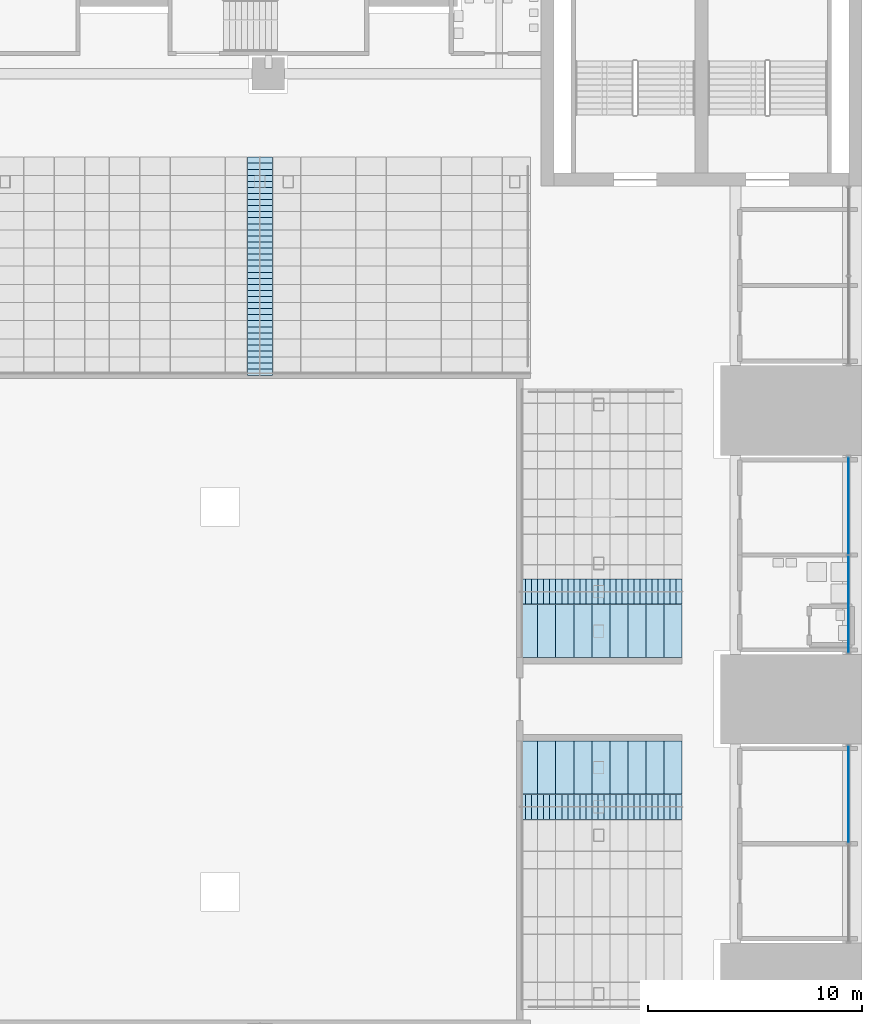
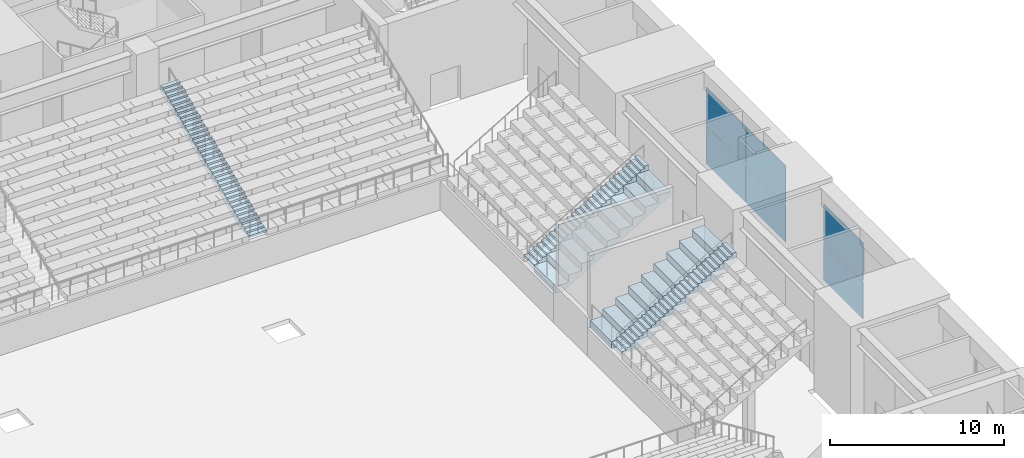
# One storey, part 31 of 62: 6 plates, 5 slabs, 2 elements without a shape of their own.
"""IFC4 building model written with IfcOpenShell, lengths in metres."""

import ifcopenshell
import ifcopenshell.guid

model = None  # the IFC model being written
_history = None  # IfcOwnerHistory: only IFC2X3 demands one
_inside = {}  # id of a spatial element -> (the spatial element, [elements in it])
_under = {}  # id of a project, library or spatial element -> (it, [spatial elements below it])
_declared = {}  # id of a project -> (the project, [libraries it declares])
_typed = {}  # id of a type object -> (the type object, [elements of that type])
_made_of = {}  # id of a material, layer set ... -> (it, [elements and type objects made of it])


def new_model(schema):
    """Start an empty IFC model of exactly this schema.

    Asked for "IFC4X3", IfcOpenShell would pick the latest addendum, in which some entities
    have other attributes; the version numbers below select the first issue.
    IFC2X3 requires an IfcOwnerHistory on every rooted entity: one is made here for all.
    """
    global model, _history
    if schema == "IFC4X3":
        model = ifcopenshell.file(schema_version=(4, 3, 0, 0))
    else:
        model = ifcopenshell.file(schema=schema)
    _inside.clear()
    _under.clear()
    _declared.clear()
    _typed.clear()
    _made_of.clear()
    _history = None
    if model.schema == "IFC2X3":
        org = make("IfcOrganization", Name="unknown")
        user = make(
            "IfcPersonAndOrganization",
            ThePerson=make("IfcPerson", FamilyName="unknown"),
            TheOrganization=org,
        )
        app = make(
            "IfcApplication",
            ApplicationDeveloper=org,
            Version="unknown",
            ApplicationFullName="unknown",
            ApplicationIdentifier="unknown",
        )
        _history = make(
            "IfcOwnerHistory",
            OwningUser=user,
            OwningApplication=app,
            ChangeAction="ADDED",
            CreationDate=0,
        )
    return model


def make(cls, **values):
    """One entity of the class cls with the attributes given. An attribute that is None is left unset."""
    return model.create_entity(
        cls, **{name: value for name, value in values.items() if value is not None}
    )


def rooted(cls, **values):
    """An entity with a GlobalId (a new one), such as an element, a storey or a relation."""
    return make(cls, GlobalId=ifcopenshell.guid.new(), OwnerHistory=_history, **values)


def si_unit(unit_type, name, prefix=None):
    """IfcSIUnit, for example si_unit("LENGTHUNIT", "METRE", prefix="MILLI")."""
    return make("IfcSIUnit", UnitType=unit_type, Prefix=prefix, Name=name)


def assignment(units):
    """IfcUnitAssignment: the units of a project."""
    return None if units is None else make("IfcUnitAssignment", Units=units)


def point(xyz):
    """IfcCartesianPoint."""
    return None if xyz is None else make("IfcCartesianPoint", Coordinates=xyz)


def direction(xyz):
    """IfcDirection."""
    return None if xyz is None else make("IfcDirection", DirectionRatios=xyz)


def frame(location, z_axis=None, x_axis=None):
    """IfcAxis2Placement3D, a coordinate frame: its origin and axes. An axis left out is left unset."""
    return make(
        "IfcAxis2Placement3D",
        Location=point(location),
        Axis=direction(z_axis),
        RefDirection=direction(x_axis),
    )


def frame_2d(location, x_axis=None):
    """IfcAxis2Placement2D, a coordinate frame in the plane: its origin and x axis."""
    return make(
        "IfcAxis2Placement2D", Location=point(location), RefDirection=direction(x_axis)
    )


def origin():
    """The frame at (0, 0, 0) with its axes left unset."""
    return frame((0.0, 0.0, 0.0))


def origin_2d():
    """The frame at (0, 0) in the plane with its x axis left unset."""
    return frame_2d((0.0, 0.0))


def place(relative_to, where):
    """IfcLocalPlacement: puts the frame where relative to a parent placement (None: the world)."""
    return make(
        "IfcLocalPlacement", PlacementRelTo=relative_to, RelativePlacement=where
    )


def context(
    kind, dimensions, precision=None, world=None, true_north=None, identifier=None
):
    """IfcGeometricRepresentationContext, for example the 3D "Model" context."""
    return make(
        "IfcGeometricRepresentationContext",
        ContextIdentifier=identifier,
        ContextType=kind,
        CoordinateSpaceDimension=dimensions,
        Precision=precision,
        WorldCoordinateSystem=world,
        TrueNorth=true_north,
    )


def subcontext(parent, identifier, kind, view, scale=None):
    """IfcGeometricRepresentationSubContext, for example "Body" below "Model"."""
    return make(
        "IfcGeometricRepresentationSubContext",
        ContextIdentifier=identifier,
        ContextType=kind,
        ParentContext=parent,
        TargetScale=scale,
        TargetView=view,
    )


def project(units=None, contexts=None):
    """IfcProject with its units and contexts."""
    return rooted(
        "IfcProject",
        Name="project",
        RepresentationContexts=contexts,
        UnitsInContext=assignment(units),
    )


def spatial(cls, under=None, at=None, **own):
    """A site, building, storey or space (cls), placed at a placement, below another one or the project."""
    s = rooted(cls, ObjectPlacement=at, **own)
    if under is not None:
        _under.setdefault(under.id(), (under, []))[1].append(s)
    return s


def polyline(points):
    """IfcPolyline through the points."""
    return make("IfcPolyline", Points=[point(p) for p in points])


def profile(cls, at=None, kind="AREA", **sizes):
    """A parametric profile (cls). Its sizes go by their IFC names, for example OverallWidth=200.0."""
    return make(cls, ProfileType=kind, Position=at, **sizes)


def rectangle(**sizes):
    """IfcRectangleProfileDef."""
    return profile("IfcRectangleProfileDef", **sizes)


def outline(outer, holes=None, kind="AREA"):
    """IfcArbitraryClosedProfileDef: a profile drawn as a closed curve; with holes, ...WithVoids."""
    if holes is None:
        return make("IfcArbitraryClosedProfileDef", ProfileType=kind, OuterCurve=outer)
    return make(
        "IfcArbitraryProfileDefWithVoids",
        ProfileType=kind,
        OuterCurve=outer,
        InnerCurves=holes,
    )


def extrude(swept, where, along, depth):
    """IfcExtrudedAreaSolid: the profile swept, set in the frame where, extruded along a direction by depth."""
    return make(
        "IfcExtrudedAreaSolid",
        SweptArea=swept,
        Position=where,
        ExtrudedDirection=direction(along),
        Depth=depth,
    )


def shape(context_of_items, identifier, shape_type, items):
    """IfcShapeRepresentation: the items that make up one representation, for example the "Body"."""
    return make(
        "IfcShapeRepresentation",
        ContextOfItems=context_of_items,
        RepresentationIdentifier=identifier,
        RepresentationType=shape_type,
        Items=items,
    )


def material(Name=None, Category=None):
    """IfcMaterial."""
    return make("IfcMaterial", Name=Name, Category=Category)


def layer(
    of_material, thickness, ventilated=None, Name=None, Category=None, Priority=None
):
    """IfcMaterialLayer: one layer of a wall or slab, of a material (None: an air gap)."""
    return make(
        "IfcMaterialLayer",
        Material=of_material,
        LayerThickness=thickness,
        IsVentilated=ventilated,
        Name=Name,
        Category=Category,
        Priority=Priority,
    )


def layer_set(layers, Name=None):
    """IfcMaterialLayerSet."""
    return make("IfcMaterialLayerSet", MaterialLayers=layers, LayerSetName=Name)


def made_of(thing, what):
    """Note that an element or type object is made of a material, layer set ...; save() writes the relation."""
    if what is not None:
        _made_of.setdefault(what.id(), (what, []))[1].append(thing)
    return thing


def type_object(cls, material=None, **own):
    """A type object (cls), such as IfcWallType, which elements share."""
    return made_of(rooted(cls, **own), material)


def element(
    cls,
    number,
    at=None,
    inside=None,
    cuts=None,
    type_object=None,
    material=None,
    context=None,
    identifier="Body",
    shape_type=None,
    held_by="IfcProductDefinitionShape",
    body=None,
    shapes=None,
    **own,
):
    """One element of the class cls, such as IfcWall. Its Tag is "e" and its number.

    at: its placement. inside: the storey or other place that contains it. cuts: it is an
    opening in that element (IfcRelVoidsElement). A single representation is given by context,
    identifier, shape_type and body (its items); several are given by shapes. held_by: the class
    of the entity that holds the representations. save() writes the other relations.
    """
    e = rooted(cls, Tag="e%d" % number, ObjectPlacement=at, **own)
    if body is not None:
        shapes = [shape(context, identifier, shape_type, body)]
    if shapes is not None:
        e.Representation = make(held_by, Representations=shapes)
    if inside is not None:
        _inside.setdefault(inside.id(), (inside, []))[1].append(e)
    if cuts is not None:
        rooted(
            "IfcRelVoidsElement", RelatingBuildingElement=cuts, RelatedOpeningElement=e
        )
    if type_object is not None:
        _typed.setdefault(type_object.id(), (type_object, []))[1].append(e)
    return made_of(e, material)


def aggregate(whole, parts):
    """IfcRelAggregates: a whole, such as a stair, and the parts it consists of."""
    return rooted("IfcRelAggregates", RelatingObject=whole, RelatedObjects=parts)


def save(model, path):
    """Write the relations noted so far, then the file.

    IfcRelAggregates (storeys below a building ...), IfcRelContainedInSpatialStructure (elements
    in a storey), IfcRelDefinesByType, IfcRelAssociatesMaterial and IfcRelDeclares: one each for
    every whole, place, type object, material and project.
    """
    for whole, parts in _under.values():
        aggregate(whole, parts)
    for where, things in _inside.values():
        rooted(
            "IfcRelContainedInSpatialStructure",
            RelatedElements=things,
            RelatingStructure=where,
        )
    for kind, things in _typed.values():
        rooted("IfcRelDefinesByType", RelatedObjects=things, RelatingType=kind)
    for what, things in _made_of.values():
        rooted("IfcRelAssociatesMaterial", RelatedObjects=things, RelatingMaterial=what)
    for by, libraries in _declared.values():
        rooted("IfcRelDeclares", RelatingContext=by, RelatedDefinitions=libraries)
    model.write(path)


model = new_model("IFC4")

# Units and contexts
model_context = context("Model", 3, precision=1e-05, world=origin(), true_north=direction((0.0, 1.0)))
body_context = subcontext(model_context, "Body", "Model", "MODEL_VIEW")
ifc_project = project(units=[si_unit("LENGTHUNIT", "METRE"), si_unit("AREAUNIT", "SQUARE_METRE"), si_unit("VOLUMEUNIT", "CUBIC_METRE"), si_unit("PLANEANGLEUNIT", "RADIAN"), si_unit("MASSUNIT", "GRAM", prefix="KILO")], contexts=[model_context])

# Site, building, storey
site_placement = place(None, origin())
site = spatial("IfcSite", under=ifc_project, at=site_placement, CompositionType="ELEMENT")
building_placement = place(site_placement, origin())
building = spatial("IfcBuilding", under=site, at=building_placement, Name="Corbelhall Arena Tower", CompositionType="ELEMENT")
storey_placement = place(building_placement, frame((0.0, 0.0, 12.0)))
storey = spatial("IfcBuildingStorey", under=building, at=storey_placement, Name="L01", CompositionType="ELEMENT", Elevation=12.0)

# Slabs
ifc_material_1 = material(Name="Precast concrete C40/50", Category="concrete")
ifc_layer_1 = layer(ifc_material_1, 0.25)
ifc_layer_set_1 = layer_set([ifc_layer_1], Name="AISLE STEPS (BC 1029)")
slab_type_1 = type_object("IfcSlabType", Name="AISLE STEPS (BC 1029)", PredefinedType="FLOOR", material=ifc_layer_set_1)
slab_1_placement = place(storey_placement, frame((19.860107421875, 15.14990234375, 2.375), z_axis=(0.0, 0.0, 1.0), x_axis=(0.0, 1.0, 0.0)))
element("IfcSlab", 1, at=slab_1_placement, inside=storey, type_object=slab_type_1, Name="Aisle steps LN-AIS4", PredefinedType="FLOOR", context=body_context, shape_type="SweptSolid", body=[
    extrude(outline(polyline([(0.0, 0.0), (0.0, 0.125), (0.283447265625, 0.125), (0.283447265625, 0.25), (0.566650390625, 0.25), (0.566650390625, 0.375), (0.85009765625, 0.375), (0.85009765625, 0.5), (1.13330078125, 0.5), (1.13330078125, 0.625), (1.416748046875, 0.625), (1.416748046875, 0.75), (1.699951171875, 0.75), (1.699951171875, 0.875), (1.9833984375, 0.875), (1.9833984375, 1.0), (2.2666015625, 1.0), (2.2666015625, 1.125), (2.550048828125, 1.125), (2.550048828125, 1.25), (2.833251953125, 1.25), (2.833251953125, 1.375), (3.11669921875, 1.375), (3.11669921875, 1.5), (3.39990234375, 1.5), (3.39990234375, 1.625), (3.683349609375, 1.625), (3.683349609375, 1.75), (3.966552734375, 1.75), (3.966552734375, 1.875), (4.25, 1.875), (4.25, 2.0), (4.533447265625, 2.0), (4.533447265625, 2.125), (4.816650390625, 2.125), (4.816650390625, 2.25), (5.10009765625, 2.25), (5.10009765625, 2.375), (5.38330078125, 2.375), (5.38330078125, 2.5), (5.666748046875, 2.5), (5.666748046875, 2.625), (5.949951171875, 2.625), (5.949951171875, 2.75), (6.2333984375, 2.75), (6.2333984375, 2.875), (6.5166015625, 2.875), (6.5166015625, 3.0), (6.800048828125, 3.0), (6.800048828125, 3.125), (7.083251953125, 3.125), (7.083251953125, 3.25), (7.36669921875, 3.25), (7.36669921875, 3.375), (7.64990234375, 3.375), (7.64990234375, 3.5), (7.933349609375, 3.5), (7.933349609375, 3.625), (8.216552734375, 3.625), (8.216552734375, 3.75), (8.5, 3.75), (8.5, 3.875), (8.783203125, 3.875), (8.783203125, 4.0), (9.066650390625, 4.0), (9.066650390625, 4.125), (9.35009765625, 4.125), (9.35009765625, 4.25), (9.63330078125, 4.25), (9.63330078125, 4.375), (9.916748046875, 4.375), (9.916748046875, 4.5), (10.199951171875, 4.5), (10.199951171875, 4.625), (10.199951171875, 3.976806640625), (1.18603515625, 0.0), (0.0, 0.0)])), frame((0.0, 0.580078125, 0.0), z_axis=(0.0, -1.0, 0.0), x_axis=(1.0, 0.0, 0.0)), (0.0, 0.0, 1.0), 1.159912109375),
])
slab_2_placement = place(storey_placement, frame((32.0, -5.033203125, 2.333251953125), z_axis=(0.0, 0.0, 1.0), x_axis=(1.0, 0.0, 0.0)))
element("IfcSlab", 2, at=slab_2_placement, inside=storey, type_object=slab_type_1, Name="Aisle steps LE-AIS1", PredefinedType="FLOOR", context=body_context, shape_type="SweptSolid", body=[
    extrude(outline(polyline([(0.0, 0.0), (0.0, 0.166748046875), (0.28173828125, 0.166748046875), (0.28173828125, 0.333251953125), (0.563232421875, 0.333251953125), (0.563232421875, 0.5), (0.844970703125, 0.5), (0.844970703125, 0.666748046875), (1.126708984375, 0.666748046875), (1.126708984375, 0.833251953125), (1.408447265625, 0.833251953125), (1.408447265625, 1.0), (1.68994140625, 1.0), (1.68994140625, 1.166748046875), (1.9716796875, 1.166748046875), (1.9716796875, 1.333251953125), (2.25341796875, 1.333251953125), (2.25341796875, 1.5), (2.534912109375, 1.5), (2.534912109375, 1.666748046875), (2.816650390625, 1.666748046875), (2.816650390625, 1.833251953125), (3.098388671875, 1.833251953125), (3.098388671875, 2.0), (3.3798828125, 2.0), (3.3798828125, 2.166748046875), (3.66162109375, 2.166748046875), (3.66162109375, 2.333251953125), (3.943359375, 2.333251953125), (3.943359375, 2.5), (4.22509765625, 2.5), (4.22509765625, 2.666748046875), (4.506591796875, 2.666748046875), (4.506591796875, 2.833251953125), (4.788330078125, 2.833251953125), (4.788330078125, 3.0), (5.070068359375, 3.0), (5.070068359375, 3.166748046875), (5.3515625, 3.166748046875), (5.3515625, 3.333251953125), (5.63330078125, 3.333251953125), (5.63330078125, 3.5), (5.9150390625, 3.5), (5.9150390625, 3.666748046875), (6.19677734375, 3.666748046875), (6.19677734375, 3.833251953125), (6.478271484375, 3.833251953125), (6.478271484375, 4.0), (6.760009765625, 4.0), (6.760009765625, 4.166748046875), (7.041748046875, 4.166748046875), (7.041748046875, 4.333251953125), (7.3232421875, 4.333251953125), (7.3232421875, 4.5), (7.60498046875, 4.5), (7.60498046875, 4.666748046875), (7.60498046875, 3.876220703125), (1.05419921875, 0.0), (0.0, 0.0)])), frame((0.0, 0.580078125, 0.0), z_axis=(0.0, -1.0, 0.0), x_axis=(1.0, 0.0, 0.0)), (0.0, 0.0, 1.0), 1.159912109375),
])
slab_3_placement = place(storey_placement, frame((32.0, 5.033203125, 2.333251953125), z_axis=(0.0, 0.0, 1.0), x_axis=(1.0, 0.0, 0.0)))
element("IfcSlab", 3, at=slab_3_placement, inside=storey, type_object=slab_type_1, Name="Aisle steps LE-AIS2", PredefinedType="FLOOR", context=body_context, shape_type="SweptSolid", body=[
    extrude(outline(polyline([(0.0, 0.0), (0.0, 0.166748046875), (0.28173828125, 0.166748046875), (0.28173828125, 0.333251953125), (0.563232421875, 0.333251953125), (0.563232421875, 0.5), (0.844970703125, 0.5), (0.844970703125, 0.666748046875), (1.126708984375, 0.666748046875), (1.126708984375, 0.833251953125), (1.408447265625, 0.833251953125), (1.408447265625, 1.0), (1.68994140625, 1.0), (1.68994140625, 1.166748046875), (1.9716796875, 1.166748046875), (1.9716796875, 1.333251953125), (2.25341796875, 1.333251953125), (2.25341796875, 1.5), (2.534912109375, 1.5), (2.534912109375, 1.666748046875), (2.816650390625, 1.666748046875), (2.816650390625, 1.833251953125), (3.098388671875, 1.833251953125), (3.098388671875, 2.0), (3.3798828125, 2.0), (3.3798828125, 2.166748046875), (3.66162109375, 2.166748046875), (3.66162109375, 2.333251953125), (3.943359375, 2.333251953125), (3.943359375, 2.5), (4.22509765625, 2.5), (4.22509765625, 2.666748046875), (4.506591796875, 2.666748046875), (4.506591796875, 2.833251953125), (4.788330078125, 2.833251953125), (4.788330078125, 3.0), (5.070068359375, 3.0), (5.070068359375, 3.166748046875), (5.3515625, 3.166748046875), (5.3515625, 3.333251953125), (5.63330078125, 3.333251953125), (5.63330078125, 3.5), (5.9150390625, 3.5), (5.9150390625, 3.666748046875), (6.19677734375, 3.666748046875), (6.19677734375, 3.833251953125), (6.478271484375, 3.833251953125), (6.478271484375, 4.0), (6.760009765625, 4.0), (6.760009765625, 4.166748046875), (7.041748046875, 4.166748046875), (7.041748046875, 4.333251953125), (7.3232421875, 4.333251953125), (7.3232421875, 4.5), (7.60498046875, 4.5), (7.60498046875, 4.666748046875), (7.60498046875, 3.876220703125), (1.05419921875, 0.0), (0.0, 0.0)])), frame((0.0, 0.580078125, 0.0), z_axis=(0.0, -1.0, 0.0), x_axis=(1.0, 0.0, 0.0)), (0.0, 0.0, 1.0), 1.159912109375),
])
ifc_layer_2 = layer(ifc_material_1, 0.25)
ifc_layer_set_2 = layer_set([ifc_layer_2], Name="AR-TIER-RAKED")
slab_type_2 = type_object("IfcSlabType", Name="AR-TIER-RAKED", PredefinedType="FLOOR", material=ifc_layer_set_2)
for number, where, z_axis, x_axis, name in (
    (4, (32.0, -3.191650390625, 2.0), (0.0, 0.0, 1.0), (1.0, 0.0, 0.0), "Tier section LEB"),
    (5, (32.0, 3.191650390625, 2.0), (0.0, 0.0, 1.0), (1.0, 0.0, 0.0), "Tier section LEBR"),
):
    element("IfcSlab", number, at=place(storey_placement, frame(where, z_axis=z_axis, x_axis=x_axis)), inside=storey, type_object=slab_type_2, Name=name, PredefinedType="FLOOR", context=body_context, shape_type="SweptSolid", body=[
        extrude(outline(polyline([(0.0, 0.0), (0.0, 0.5), (0.844970703125, 0.5), (0.844970703125, 1.0), (1.68994140625, 1.0), (1.68994140625, 1.5), (2.534912109375, 1.5), (2.534912109375, 2.0), (3.3798828125, 2.0), (3.3798828125, 2.5), (4.22509765625, 2.5), (4.22509765625, 3.0), (5.070068359375, 3.0), (5.070068359375, 3.5), (5.9150390625, 3.5), (5.9150390625, 4.0), (6.760009765625, 4.0), (6.760009765625, 4.5), (7.60498046875, 4.5), (7.60498046875, 5.0), (7.60498046875, 4.20947265625), (0.490966796875, 0.0), (0.0, 0.0)])), frame((0.0, 1.24169921875, 0.0), z_axis=(0.0, -1.0, 0.0), x_axis=(1.0, 0.0, 0.0)), (0.0, 0.0, 1.0), 2.4833984375),
    ])

# Curtain wall, plates
ifc_material_2 = material(Name="Aluminium black anodised", Category="aluminium")
ifc_layer_3 = layer(ifc_material_2, 0.239990234375)
ifc_layer_set_3 = layer_set([ifc_layer_3], Name="EV-CW4 Arena concourse glazing")
curtain_wall_type = type_object("IfcCurtainWallType", Name="EV-CW4 Arena concourse glazing", PredefinedType="NOTDEFINED", material=ifc_layer_set_3)
curtain_wall_1_placement = place(storey_placement, origin())
curtain_wall_1 = element("IfcCurtainWall", 6, at=curtain_wall_1_placement, inside=storey, type_object=curtain_wall_type, Name="Curtain wall CW4", PredefinedType="NOTDEFINED")
ifc_material_3 = material(Name="Glass dark tinted laminated", Category="glass")
ifc_layer_4 = layer(ifc_material_3, 0.028076171875)
ifc_layer_set_4 = layer_set([ifc_layer_4], Name="EV-CW4-PANEL")
plate_type = type_object("IfcPlateType", Name="EV-CW4-PANEL", PredefinedType="CURTAIN_PANEL", material=ifc_layer_set_4)
plate_1_placement = place(storey_placement, frame((47.3798828125, -4.44384765625, 0.0751953125), z_axis=(0.0, 0.0, 1.0), x_axis=(0.0, 1.0, 0.0)))
plate_1 = element("IfcPlate", 7, at=plate_1_placement, type_object=plate_type, Name="CW4 panel 2.1", PredefinedType="CURTAIN_PANEL", context=body_context, shape_type="SweptSolid", body=[
    extrude(rectangle(XDim=4.53759765625, YDim=0.028076171875, at=origin_2d()), origin(), (0.0, 0.0, 1.0), 2.637451171875),
])
plate_2_placement = place(storey_placement, frame((47.3798828125, -4.44384765625, 2.78759765625), z_axis=(0.0, 0.0, 1.0), x_axis=(0.0, 1.0, 0.0)))
plate_2 = element("IfcPlate", 8, at=plate_2_placement, type_object=plate_type, Name="CW4 panel 2.2", PredefinedType="CURTAIN_PANEL", context=body_context, shape_type="SweptSolid", body=[
    extrude(rectangle(XDim=4.53759765625, YDim=0.028076171875, at=origin_2d()), origin(), (0.0, 0.0, 1.0), 2.637451171875),
])
aggregate(curtain_wall_1, [plate_1, plate_2])

curtain_wall_2_placement = place(storey_placement, origin())
curtain_wall_2 = element("IfcCurtainWall", 9, at=curtain_wall_2_placement, inside=storey, type_object=curtain_wall_type, Name="Curtain wall CW4", PredefinedType="NOTDEFINED")
plate_3_placement = place(storey_placement, frame((47.3798828125, 4.44384765625, 0.0751953125), z_axis=(0.0, 0.0, 1.0), x_axis=(0.0, 1.0, 0.0)))
plate_3 = element("IfcPlate", 10, at=plate_3_placement, type_object=plate_type, Name="CW4 panel 1.1", PredefinedType="CURTAIN_PANEL", context=body_context, shape_type="SweptSolid", body=[
    extrude(rectangle(XDim=4.53759765625, YDim=0.028076171875, at=origin_2d()), origin(), (0.0, 0.0, 1.0), 2.637451171875),
])
plate_4_placement = place(storey_placement, frame((47.3798828125, 4.44384765625, 2.78759765625), z_axis=(0.0, 0.0, 1.0), x_axis=(0.0, 1.0, 0.0)))
plate_4 = element("IfcPlate", 11, at=plate_4_placement, type_object=plate_type, Name="CW4 panel 1.2", PredefinedType="CURTAIN_PANEL", context=body_context, shape_type="SweptSolid", body=[
    extrude(rectangle(XDim=4.53759765625, YDim=0.028076171875, at=origin_2d()), origin(), (0.0, 0.0, 1.0), 2.637451171875),
])
plate_5_placement = place(storey_placement, frame((47.3798828125, 9.05615234375, 0.0751953125), z_axis=(0.0, 0.0, 1.0), x_axis=(0.0, 1.0, 0.0)))
plate_5 = element("IfcPlate", 12, at=plate_5_placement, type_object=plate_type, Name="CW4 panel 2.1", PredefinedType="CURTAIN_PANEL", context=body_context, shape_type="SweptSolid", body=[
    extrude(rectangle(XDim=4.53759765625, YDim=0.028076171875, at=origin_2d()), origin(), (0.0, 0.0, 1.0), 2.637451171875),
])
plate_6_placement = place(storey_placement, frame((47.3798828125, 9.05615234375, 2.78759765625), z_axis=(0.0, 0.0, 1.0), x_axis=(0.0, 1.0, 0.0)))
plate_6 = element("IfcPlate", 13, at=plate_6_placement, type_object=plate_type, Name="CW4 panel 2.2", PredefinedType="CURTAIN_PANEL", context=body_context, shape_type="SweptSolid", body=[
    extrude(rectangle(XDim=4.53759765625, YDim=0.028076171875, at=origin_2d()), origin(), (0.0, 0.0, 1.0), 2.637451171875),
])
aggregate(curtain_wall_2, [plate_3, plate_4, plate_5, plate_6])

save(model, "model.ifc")
